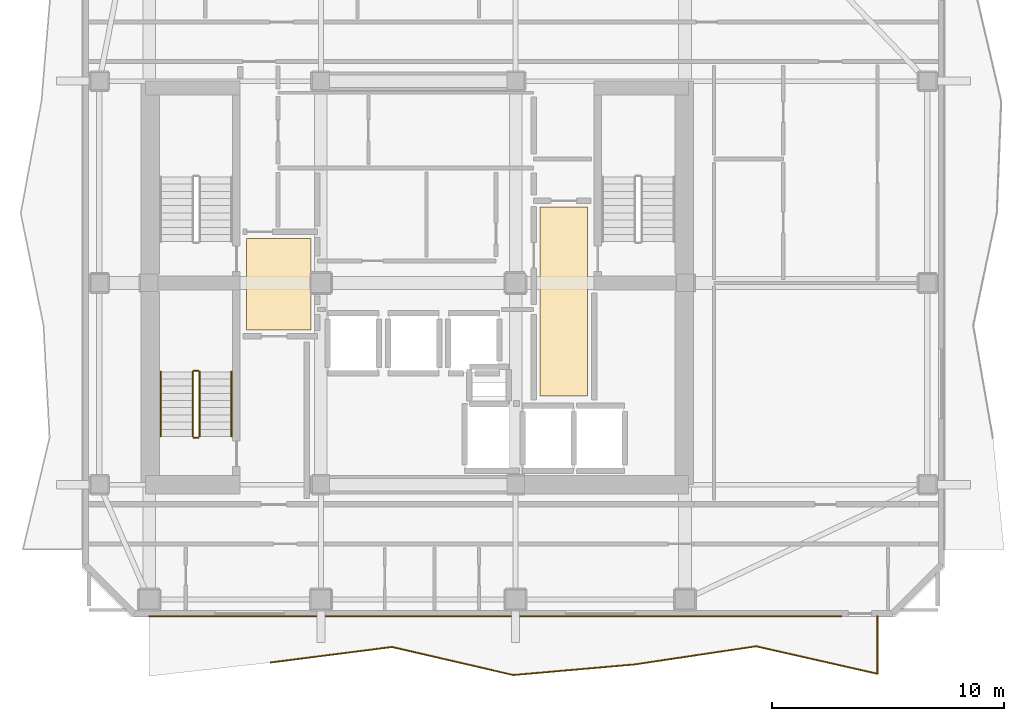
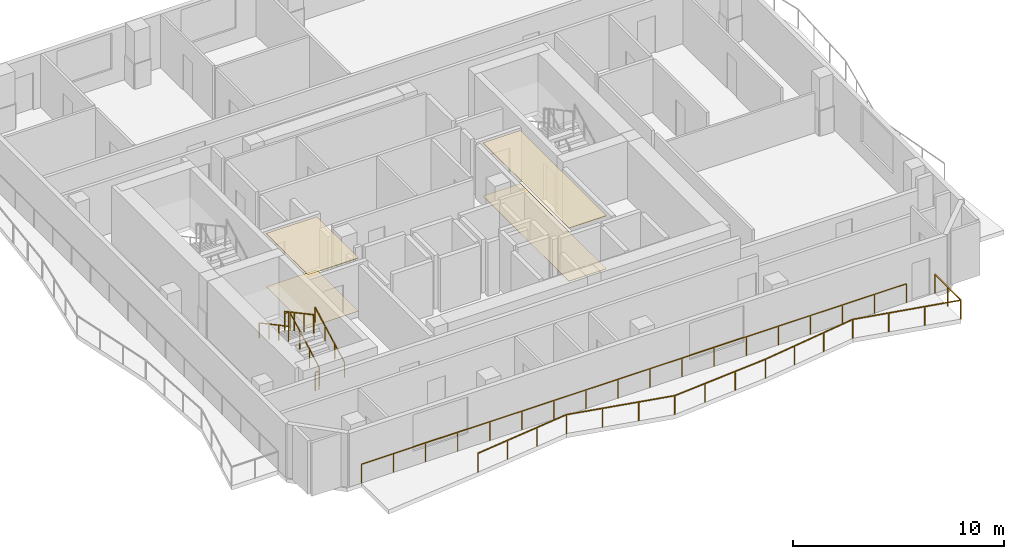
# One storey, part 7 of 9: 8 railings, 4 coverings.
"""IFC4 building model written with IfcOpenShell, lengths in metres."""

from ifc_helpers import new_model, si_unit, direction, frame, origin, origin_2d, place, context, subcontext, project, spatial, polyline, rectangle, outline, extrude, material, layer, layer_set, type_object, element, save


model = new_model("IFC4")

# Units and contexts
model_context = context("Model", 3, precision=1e-05, world=origin(), true_north=direction((0.0, 1.0)))
body_context = subcontext(model_context, "Body", "Model", "MODEL_VIEW")
ifc_project = project(units=[si_unit("LENGTHUNIT", "METRE"), si_unit("AREAUNIT", "SQUARE_METRE"), si_unit("VOLUMEUNIT", "CUBIC_METRE"), si_unit("PLANEANGLEUNIT", "RADIAN"), si_unit("MASSUNIT", "GRAM", prefix="KILO")], contexts=[model_context])

# Site, building, storey
site_placement = place(None, origin())
site = spatial("IfcSite", under=ifc_project, at=site_placement, CompositionType="ELEMENT")
building_placement = place(site_placement, origin())
building = spatial("IfcBuilding", under=site, at=building_placement, Name="Solanera Arch Residences", CompositionType="ELEMENT")
storey_placement = place(building_placement, frame((0.0, 0.0, 241.239990234375)))
storey = spatial("IfcBuildingStorey", under=building, at=storey_placement, Name="L70", CompositionType="ELEMENT", Elevation=241.239990234375)

# Railings
ifc_material_1 = material(Name="Steel S355 (ASTM A992 / A572 Grade 50)", Category="steel")
railing_type_1 = type_object("IfcRailingType", Name="Balustrade Railing BL-1100", PredefinedType="BALUSTRADE", material=ifc_material_1)
railing_1_placement = place(storey_placement, frame((18.633056640625, 14.33203125, 0.0)))
element("IfcRailing", 1, at=railing_1_placement, inside=storey, type_object=railing_type_1, Name="L70 S Balcony Balustrade 1", PredefinedType="BALUSTRADE", context=body_context, shape_type="SweptSolid", body=[
    extrude(rectangle(XDim=0.048095703125, YDim=0.048095703125, at=origin_2d()), frame((0.0, 0.0, 1.09619140625), z_axis=(0.991930972233, 0.126779124168, 0.0), x_axis=(-0.126779124168, 0.991930972233, 0.0)), (0.0, 0.0, 1.0), 5.2763671875),
    extrude(rectangle(XDim=0.048095703125, YDim=0.048095703125, at=origin_2d()), frame((5.23388671875, 0.6689453125, 1.09619140625), z_axis=(0.974296883398, -0.225267802851, 0.0), x_axis=(0.225267802851, 0.974296883398, 0.0)), (0.0, 0.0, 1.0), 5.37109375),
    extrude(rectangle(XDim=0.048095703125, YDim=0.048095703125, at=origin_2d()), frame((10.467041015625, -0.541015625, 1.09619140625), z_axis=(0.996191598379, 0.087191165371, 0.0), x_axis=(-0.087191165371, 0.996191598379, 0.0)), (0.0, 0.0, 1.0), 5.2529296875),
    extrude(rectangle(XDim=0.048095703125, YDim=0.048095703125, at=origin_2d()), frame((15.699951171875, -0.0830078125, 1.09619140625), z_axis=(0.988995153517, 0.147947917592, 0.0), x_axis=(-0.147947917592, 0.988995153517, 0.0)), (0.0, 0.0, 1.0), 5.292236328125),
    extrude(rectangle(XDim=0.048095703125, YDim=0.048095703125, at=origin_2d()), frame((20.933837890625, 0.699951171875, 1.09619140625), z_axis=(0.975227068654, -0.221206158516, 0.0), x_axis=(0.221206158516, 0.975227068654, 0.0)), (0.0, 0.0, 1.0), 5.365966796875),
    extrude(rectangle(XDim=0.048095703125, YDim=0.048095703125, at=origin_2d()), frame((26.1669921875, -0.487060546875, 1.09619140625), z_axis=(0.0, 1.0, 0.0), x_axis=(-1.0, 0.0, 0.0)), (0.0, 0.0, 1.0), 2.47509765625),
    extrude(rectangle(XDim=0.0419921875, YDim=0.0419921875, at=origin_2d()), origin(), (0.0, 0.0, 1.0), 1.072021484375),
    extrude(rectangle(XDim=0.0419921875, YDim=0.0419921875, at=origin_2d()), frame((1.74462890625, 0.222900390625, 0.0)), (0.0, 0.0, 1.0), 1.072021484375),
    extrude(rectangle(XDim=0.0419921875, YDim=0.0419921875, at=origin_2d()), frame((3.4892578125, 0.446044921875, 0.0)), (0.0, 0.0, 1.0), 1.072021484375),
    extrude(rectangle(XDim=0.0419921875, YDim=0.0419921875, at=origin_2d()), frame((5.23388671875, 0.6689453125, 0.0)), (0.0, 0.0, 1.0), 1.072021484375),
    extrude(rectangle(XDim=0.0419921875, YDim=0.0419921875, at=origin_2d()), frame((6.978271484375, 0.265625, 0.0)), (0.0, 0.0, 1.0), 1.072021484375),
    extrude(rectangle(XDim=0.0419921875, YDim=0.0419921875, at=origin_2d()), frame((8.72265625, -0.1376953125, 0.0)), (0.0, 0.0, 1.0), 1.072021484375),
    extrude(rectangle(XDim=0.0419921875, YDim=0.0419921875, at=origin_2d()), frame((10.467041015625, -0.541015625, 0.0)), (0.0, 0.0, 1.0), 1.072021484375),
    extrude(rectangle(XDim=0.0419921875, YDim=0.0419921875, at=origin_2d()), frame((12.21142578125, -0.388427734375, 0.0)), (0.0, 0.0, 1.0), 1.072021484375),
    extrude(rectangle(XDim=0.0419921875, YDim=0.0419921875, at=origin_2d()), frame((13.95556640625, -0.235595703125, 0.0)), (0.0, 0.0, 1.0), 1.072021484375),
    extrude(rectangle(XDim=0.0419921875, YDim=0.0419921875, at=origin_2d()), frame((15.699951171875, -0.0830078125, 0.0)), (0.0, 0.0, 1.0), 1.072021484375),
    extrude(rectangle(XDim=0.0419921875, YDim=0.0419921875, at=origin_2d()), frame((17.444580078125, 0.177978515625, 0.0)), (0.0, 0.0, 1.0), 1.072021484375),
    extrude(rectangle(XDim=0.0419921875, YDim=0.0419921875, at=origin_2d()), frame((19.189208984375, 0.43896484375, 0.0)), (0.0, 0.0, 1.0), 1.072021484375),
    extrude(rectangle(XDim=0.0419921875, YDim=0.0419921875, at=origin_2d()), frame((20.933837890625, 0.699951171875, 0.0)), (0.0, 0.0, 1.0), 1.072021484375),
    extrude(rectangle(XDim=0.0419921875, YDim=0.0419921875, at=origin_2d()), frame((22.67822265625, 0.30419921875, 0.0)), (0.0, 0.0, 1.0), 1.072021484375),
    extrude(rectangle(XDim=0.0419921875, YDim=0.0419921875, at=origin_2d()), frame((24.422607421875, -0.09130859375, 0.0)), (0.0, 0.0, 1.0), 1.072021484375),
    extrude(rectangle(XDim=0.0419921875, YDim=0.0419921875, at=origin_2d()), frame((26.1669921875, -0.487060546875, 0.0)), (0.0, 0.0, 1.0), 1.072021484375),
    extrude(rectangle(XDim=0.0419921875, YDim=0.0419921875, at=origin_2d()), frame((26.1669921875, 0.75048828125, 0.0)), (0.0, 0.0, 1.0), 1.072021484375),
    extrude(rectangle(XDim=0.0419921875, YDim=0.0419921875, at=origin_2d()), frame((26.1669921875, 1.988037109375, 0.0)), (0.0, 0.0, 1.0), 1.072021484375),
])
railing_2_placement = place(storey_placement, frame((43.248046875, 16.320068359375, 0.0)))
element("IfcRailing", 2, at=railing_2_placement, inside=storey, type_object=railing_type_1, Name="L70 S Balcony Balustrade 2", PredefinedType="BALUSTRADE", context=body_context, shape_type="SweptSolid", body=[
    extrude(rectangle(XDim=0.048095703125, YDim=0.048095703125, at=origin_2d()), frame((0.0, 0.0, 1.09619140625), z_axis=(-1.0, 0.0, 0.0), x_axis=(0.0, -1.0, 0.0)), (0.0, 0.0, 1.0), 29.84814453125),
    extrude(rectangle(XDim=0.0419921875, YDim=0.0419921875, at=origin_2d()), origin(), (0.0, 0.0, 1.0), 1.072021484375),
    extrude(rectangle(XDim=0.0419921875, YDim=0.0419921875, at=origin_2d()), frame((-1.755859375, 0.0, 0.0)), (0.0, 0.0, 1.0), 1.072021484375),
    extrude(rectangle(XDim=0.0419921875, YDim=0.0419921875, at=origin_2d()), frame((-3.511474609375, 0.0, 0.0)), (0.0, 0.0, 1.0), 1.072021484375),
    extrude(rectangle(XDim=0.0419921875, YDim=0.0419921875, at=origin_2d()), frame((-5.267333984375, 0.0, 0.0)), (0.0, 0.0, 1.0), 1.072021484375),
    extrude(rectangle(XDim=0.0419921875, YDim=0.0419921875, at=origin_2d()), frame((-7.023193359375, 0.0, 0.0)), (0.0, 0.0, 1.0), 1.072021484375),
    extrude(rectangle(XDim=0.0419921875, YDim=0.0419921875, at=origin_2d()), frame((-8.77880859375, 0.0, 0.0)), (0.0, 0.0, 1.0), 1.072021484375),
    extrude(rectangle(XDim=0.0419921875, YDim=0.0419921875, at=origin_2d()), frame((-10.53466796875, 0.0, 0.0)), (0.0, 0.0, 1.0), 1.072021484375),
    extrude(rectangle(XDim=0.0419921875, YDim=0.0419921875, at=origin_2d()), frame((-12.29052734375, 0.0, 0.0)), (0.0, 0.0, 1.0), 1.072021484375),
    extrude(rectangle(XDim=0.0419921875, YDim=0.0419921875, at=origin_2d()), frame((-14.046142578125, 0.0, 0.0)), (0.0, 0.0, 1.0), 1.072021484375),
    extrude(rectangle(XDim=0.0419921875, YDim=0.0419921875, at=origin_2d()), frame((-15.802001953125, 0.0, 0.0)), (0.0, 0.0, 1.0), 1.072021484375),
    extrude(rectangle(XDim=0.0419921875, YDim=0.0419921875, at=origin_2d()), frame((-17.5576171875, 0.0, 0.0)), (0.0, 0.0, 1.0), 1.072021484375),
    extrude(rectangle(XDim=0.0419921875, YDim=0.0419921875, at=origin_2d()), frame((-19.3134765625, 0.0, 0.0)), (0.0, 0.0, 1.0), 1.072021484375),
    extrude(rectangle(XDim=0.0419921875, YDim=0.0419921875, at=origin_2d()), frame((-21.0693359375, 0.0, 0.0)), (0.0, 0.0, 1.0), 1.072021484375),
    extrude(rectangle(XDim=0.0419921875, YDim=0.0419921875, at=origin_2d()), frame((-22.824951171875, 0.0, 0.0)), (0.0, 0.0, 1.0), 1.072021484375),
    extrude(rectangle(XDim=0.0419921875, YDim=0.0419921875, at=origin_2d()), frame((-24.580810546875, 0.0, 0.0)), (0.0, 0.0, 1.0), 1.072021484375),
    extrude(rectangle(XDim=0.0419921875, YDim=0.0419921875, at=origin_2d()), frame((-26.336669921875, 0.0, 0.0)), (0.0, 0.0, 1.0), 1.072021484375),
    extrude(rectangle(XDim=0.0419921875, YDim=0.0419921875, at=origin_2d()), frame((-28.09228515625, 0.0, 0.0)), (0.0, 0.0, 1.0), 1.072021484375),
    extrude(rectangle(XDim=0.0419921875, YDim=0.0419921875, at=origin_2d()), frame((-29.84814453125, 0.0, 0.0)), (0.0, 0.0, 1.0), 1.072021484375),
])

# Coverings
ifc_material_2 = material(Name="Porcelain Acoustic Floor Tile", Category="ceramic")
ifc_layer_1 = layer(ifc_material_2, 0.02001953125)
ifc_layer_set_1 = layer_set([ifc_layer_1], Name="Porcelain Acoustic Floor Tile")
covering_type_1 = type_object("IfcCoveringType", Name="Porcelain Acoustic Floor Finish FLR-20", PredefinedType="FLOORING", material=ifc_layer_set_1)
covering_1_placement = place(storey_placement, origin())
element("IfcCovering", 3, at=covering_1_placement, inside=storey, type_object=covering_type_1, Name="L70-FFL-W Porcelain Floor Finish", PredefinedType="FLOORING", context=body_context, shape_type="SweptSolid", body=[
    extrude(outline(polyline([(20.375, 28.675048828125), (17.594970703125, 28.675048828125), (17.594970703125, 32.625), (20.375, 32.625), (20.375, 28.675048828125)])), origin(), (0.0, 0.0, 1.0), 0.02001953125),
])
covering_2_placement = place(storey_placement, origin())
element("IfcCovering", 4, at=covering_2_placement, inside=storey, type_object=covering_type_1, Name="L70-FFL-E Porcelain Floor Finish", PredefinedType="FLOORING", context=body_context, shape_type="SweptSolid", body=[
    extrude(outline(polyline([(32.304931640625, 25.824951171875), (30.25, 25.824951171875), (30.25, 33.97509765625), (32.304931640625, 33.97509765625), (32.304931640625, 25.824951171875)])), origin(), (0.0, 0.0, 1.0), 0.02001953125),
])

# Railings
ifc_material_3 = material(Name="Steel S355 (ASTM A992 / A572 Grade 50)", Category="steel")
railing_type_2 = type_object("IfcRailingType", Name="Stair Guardrail GR-1100", PredefinedType="GUARDRAIL", material=ifc_material_3)
railing_3_placement = place(storey_placement, frame((15.570068359375, 24.080078125, 0.151123046875)))
element("IfcRailing", 5, at=railing_3_placement, inside=storey, type_object=railing_type_2, Name="L70 ST-T3 stair guard 1", PredefinedType="GUARDRAIL", context=body_context, shape_type="SweptSolid", body=[
    extrude(rectangle(XDim=0.048095703125, YDim=0.048095703125, at=origin_2d()), frame((0.0, 0.0, 1.076171875), z_axis=(0.0, 0.881580869306, 0.472033018838), x_axis=(-1.0, 0.0, 0.0)), (0.0, 0.0, 1.0), 3.164794921875),
    extrude(rectangle(XDim=0.0419921875, YDim=0.0419921875, at=origin_2d()), origin(), (0.0, 0.0, 1.0), 1.052001953125),
    extrude(rectangle(XDim=0.0419921875, YDim=0.0419921875, at=origin_2d()), frame((0.0, 0.929931640625, 0.498046875)), (0.0, 0.0, 1.0), 1.052001953125),
    extrude(rectangle(XDim=0.0419921875, YDim=0.0419921875, at=origin_2d()), frame((0.0, 1.860107421875, 0.995849609375)), (0.0, 0.0, 1.0), 1.052001953125),
    extrude(rectangle(XDim=0.0419921875, YDim=0.0419921875, at=origin_2d()), frame((0.0, 2.7900390625, 1.493896484375)), (0.0, 0.0, 1.0), 1.052001953125),
])
railing_4_placement = place(storey_placement, frame((15.52001953125, 26.919921875, 1.64501953125)))
element("IfcRailing", 6, at=railing_4_placement, inside=storey, type_object=railing_type_2, Name="L70 ST-T3 stair guard 2", PredefinedType="GUARDRAIL", context=body_context, shape_type="SweptSolid", body=[
    extrude(rectangle(XDim=0.048095703125, YDim=0.048095703125, at=origin_2d()), frame((0.0, 0.0, 1.076171875), z_axis=(-1.0, 0.0, 0.0), x_axis=(0.0, -1.0, 0.0)), (0.0, 0.0, 1.0), 0.199951171875),
    extrude(rectangle(XDim=0.0419921875, YDim=0.0419921875, at=origin_2d()), origin(), (0.0, 0.0, 1.0), 1.052001953125),
    extrude(rectangle(XDim=0.0419921875, YDim=0.0419921875, at=origin_2d()), frame((-0.199951171875, 0.0, 0.0)), (0.0, 0.0, 1.0), 1.052001953125),
])
railing_5_placement = place(storey_placement, frame((15.27001953125, 26.8701171875, 1.81103515625)))
element("IfcRailing", 7, at=railing_5_placement, inside=storey, type_object=railing_type_2, Name="L70 ST-T3 stair guard 3", PredefinedType="GUARDRAIL", context=body_context, shape_type="SweptSolid", body=[
    extrude(rectangle(XDim=0.048095703125, YDim=0.048095703125, at=origin_2d()), frame((0.0, 0.0, 1.076171875), z_axis=(0.0, -0.881580869306, 0.472033018838), x_axis=(1.0, 0.0, 0.0)), (0.0, 0.0, 1.0), 3.164794921875),
    extrude(rectangle(XDim=0.0419921875, YDim=0.0419921875, at=origin_2d()), origin(), (0.0, 0.0, 1.0), 1.052001953125),
    extrude(rectangle(XDim=0.0419921875, YDim=0.0419921875, at=origin_2d()), frame((0.0, -0.929931640625, 0.498046875)), (0.0, 0.0, 1.0), 1.052001953125),
    extrude(rectangle(XDim=0.0419921875, YDim=0.0419921875, at=origin_2d()), frame((0.0, -1.860107421875, 0.995849609375)), (0.0, 0.0, 1.0), 1.052001953125),
    extrude(rectangle(XDim=0.0419921875, YDim=0.0419921875, at=origin_2d()), frame((0.0, -2.7900390625, 1.493896484375)), (0.0, 0.0, 1.0), 1.052001953125),
])
railing_6_placement = place(storey_placement, frame((15.52001953125, 24.030029296875, -0.014892578125)))
element("IfcRailing", 8, at=railing_6_placement, inside=storey, type_object=railing_type_2, Name="L70 ST-T3 stair guard 4", PredefinedType="GUARDRAIL", context=body_context, shape_type="SweptSolid", body=[
    extrude(rectangle(XDim=0.048095703125, YDim=0.048095703125, at=origin_2d()), frame((0.0, 0.0, 1.076171875), z_axis=(-1.0, 0.0, 0.0), x_axis=(0.0, -1.0, 0.0)), (0.0, 0.0, 1.0), 0.199951171875),
    extrude(rectangle(XDim=0.0419921875, YDim=0.0419921875, at=origin_2d()), origin(), (0.0, 0.0, 1.0), 1.052001953125),
    extrude(rectangle(XDim=0.0419921875, YDim=0.0419921875, at=origin_2d()), frame((-0.199951171875, 0.0, 0.0)), (0.0, 0.0, 1.0), 1.052001953125),
])
ifc_material_4 = material(Name="Steel S355 (ASTM A992 / A572 Grade 50)", Category="steel")
railing_type_3 = type_object("IfcRailingType", Name="Stair Wall Handrail HR-920", PredefinedType="HANDRAIL", material=ifc_material_4)
railing_7_placement = place(storey_placement, frame((16.949951171875, 24.080078125, 0.166015625)))
element("IfcRailing", 9, at=railing_7_placement, inside=storey, type_object=railing_type_3, Name="L70 ST-T3 stair handrail 1", PredefinedType="HANDRAIL", context=body_context, shape_type="SweptSolid", body=[
    extrude(rectangle(XDim=0.048095703125, YDim=0.048095703125, at=origin_2d()), frame((0.0, 0.0, 0.8759765625), z_axis=(0.0, 0.881580869306, 0.472033018838), x_axis=(-1.0, 0.0, 0.0)), (0.0, 0.0, 1.0), 3.164794921875),
    extrude(rectangle(XDim=0.0419921875, YDim=0.0419921875, at=origin_2d()), origin(), (0.0, 0.0, 1.0), 0.851806640625),
    extrude(rectangle(XDim=0.0419921875, YDim=0.0419921875, at=origin_2d()), frame((0.0, 0.929931640625, 0.498046875)), (0.0, 0.0, 1.0), 0.851806640625),
    extrude(rectangle(XDim=0.0419921875, YDim=0.0419921875, at=origin_2d()), frame((0.0, 1.860107421875, 0.995849609375)), (0.0, 0.0, 1.0), 0.851806640625),
    extrude(rectangle(XDim=0.0419921875, YDim=0.0419921875, at=origin_2d()), frame((0.0, 2.7900390625, 1.493896484375)), (0.0, 0.0, 1.0), 0.851806640625),
])
railing_8_placement = place(storey_placement, frame((13.889892578125, 26.8701171875, 1.825927734375)))
element("IfcRailing", 10, at=railing_8_placement, inside=storey, type_object=railing_type_3, Name="L70 ST-T3 stair handrail 2", PredefinedType="HANDRAIL", context=body_context, shape_type="SweptSolid", body=[
    extrude(rectangle(XDim=0.048095703125, YDim=0.048095703125, at=origin_2d()), frame((0.0, 0.0, 0.8759765625), z_axis=(0.0, -0.881548766853, 0.472092969298), x_axis=(1.0, 0.0, 0.0)), (0.0, 0.0, 1.0), 3.1650390625),
    extrude(rectangle(XDim=0.0419921875, YDim=0.0419921875, at=origin_2d()), origin(), (0.0, 0.0, 1.0), 0.851806640625),
    extrude(rectangle(XDim=0.0419921875, YDim=0.0419921875, at=origin_2d()), frame((0.0, -0.929931640625, 0.498046875)), (0.0, 0.0, 1.0), 0.851806640625),
    extrude(rectangle(XDim=0.0419921875, YDim=0.0419921875, at=origin_2d()), frame((0.0, -1.860107421875, 0.99609375)), (0.0, 0.0, 1.0), 0.851806640625),
    extrude(rectangle(XDim=0.0419921875, YDim=0.0419921875, at=origin_2d()), frame((0.0, -2.7900390625, 1.494140625)), (0.0, 0.0, 1.0), 0.851806640625),
])

# Coverings
ifc_material_5 = material(Name="Mineral Fibre Acoustic Ceiling Board", Category="gypsum")
ifc_layer_2 = layer(ifc_material_5, 0.02490234375)
ifc_layer_set_2 = layer_set([ifc_layer_2], Name="Mineral Fibre Acoustic Ceiling Board")
covering_type_2 = type_object("IfcCoveringType", Name="Suspended Acoustic Ceiling Board CLG-25", PredefinedType="CEILING", material=ifc_layer_set_2)
covering_3_placement = place(storey_placement, frame((0.0, 0.0, 3.074951171875)))
element("IfcCovering", 11, at=covering_3_placement, inside=storey, type_object=covering_type_2, Name="L70-FFL-W Acoustic Ceiling", PredefinedType="CEILING", context=body_context, shape_type="SweptSolid", body=[
    extrude(outline(polyline([(20.375, 28.675048828125), (17.594970703125, 28.675048828125), (17.594970703125, 32.625), (20.375, 32.625), (20.375, 28.675048828125)])), origin(), (0.0, 0.0, 1.0), 0.025146484375),
])
covering_4_placement = place(storey_placement, frame((0.0, 0.0, 3.074951171875)))
element("IfcCovering", 12, at=covering_4_placement, inside=storey, type_object=covering_type_2, Name="L70-FFL-E Acoustic Ceiling", PredefinedType="CEILING", context=body_context, shape_type="SweptSolid", body=[
    extrude(outline(polyline([(32.304931640625, 25.824951171875), (30.25, 25.824951171875), (30.25, 33.97509765625), (32.304931640625, 33.97509765625), (32.304931640625, 25.824951171875)])), origin(), (0.0, 0.0, 1.0), 0.025146484375),
])

save(model, "model.ifc")
